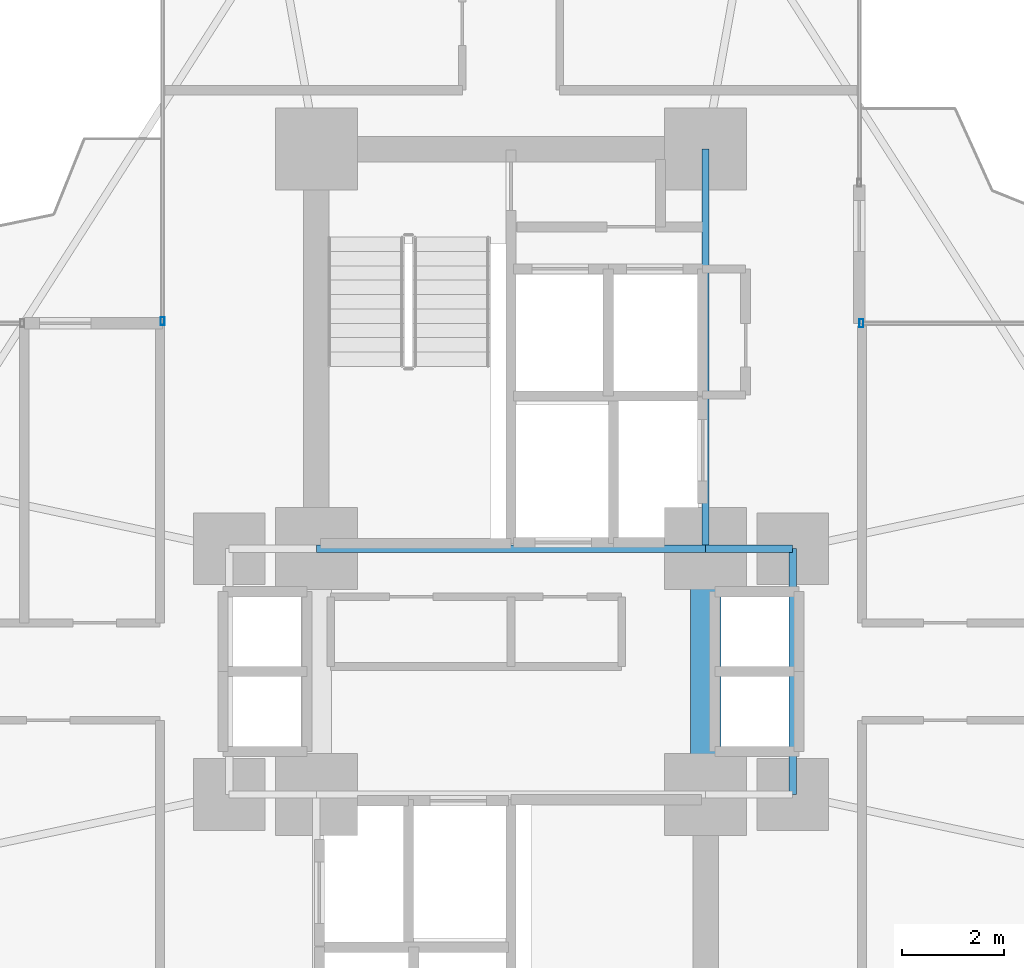
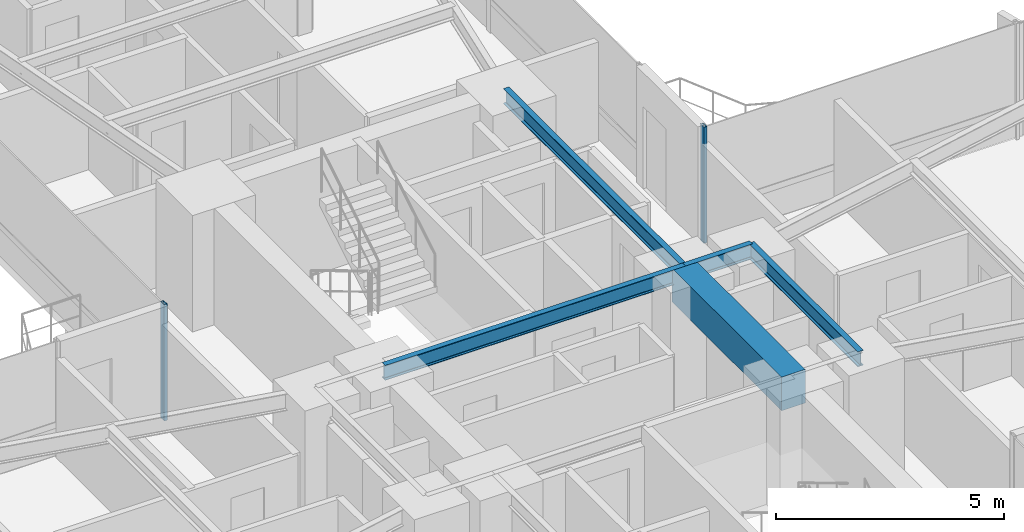
# One storey, part 12 of 25: 5 beams, 2 members, 2 elements without a shape of their own.
"""IFC4 building model written with IfcOpenShell, lengths in metres."""

import ifcopenshell
import ifcopenshell.guid

model = None  # the IFC model being written
_history = None  # IfcOwnerHistory: only IFC2X3 demands one
_inside = {}  # id of a spatial element -> (the spatial element, [elements in it])
_under = {}  # id of a project, library or spatial element -> (it, [spatial elements below it])
_declared = {}  # id of a project -> (the project, [libraries it declares])
_typed = {}  # id of a type object -> (the type object, [elements of that type])
_made_of = {}  # id of a material, layer set ... -> (it, [elements and type objects made of it])


def new_model(schema):
    """Start an empty IFC model of exactly this schema.

    Asked for "IFC4X3", IfcOpenShell would pick the latest addendum, in which some entities
    have other attributes; the version numbers below select the first issue.
    IFC2X3 requires an IfcOwnerHistory on every rooted entity: one is made here for all.
    """
    global model, _history
    if schema == "IFC4X3":
        model = ifcopenshell.file(schema_version=(4, 3, 0, 0))
    else:
        model = ifcopenshell.file(schema=schema)
    _inside.clear()
    _under.clear()
    _declared.clear()
    _typed.clear()
    _made_of.clear()
    _history = None
    if model.schema == "IFC2X3":
        org = make("IfcOrganization", Name="unknown")
        user = make(
            "IfcPersonAndOrganization",
            ThePerson=make("IfcPerson", FamilyName="unknown"),
            TheOrganization=org,
        )
        app = make(
            "IfcApplication",
            ApplicationDeveloper=org,
            Version="unknown",
            ApplicationFullName="unknown",
            ApplicationIdentifier="unknown",
        )
        _history = make(
            "IfcOwnerHistory",
            OwningUser=user,
            OwningApplication=app,
            ChangeAction="ADDED",
            CreationDate=0,
        )
    return model


def make(cls, **values):
    """One entity of the class cls with the attributes given. An attribute that is None is left unset."""
    return model.create_entity(
        cls, **{name: value for name, value in values.items() if value is not None}
    )


def rooted(cls, **values):
    """An entity with a GlobalId (a new one), such as an element, a storey or a relation."""
    return make(cls, GlobalId=ifcopenshell.guid.new(), OwnerHistory=_history, **values)


def si_unit(unit_type, name, prefix=None):
    """IfcSIUnit, for example si_unit("LENGTHUNIT", "METRE", prefix="MILLI")."""
    return make("IfcSIUnit", UnitType=unit_type, Prefix=prefix, Name=name)


def assignment(units):
    """IfcUnitAssignment: the units of a project."""
    return None if units is None else make("IfcUnitAssignment", Units=units)


def point(xyz):
    """IfcCartesianPoint."""
    return None if xyz is None else make("IfcCartesianPoint", Coordinates=xyz)


def direction(xyz):
    """IfcDirection."""
    return None if xyz is None else make("IfcDirection", DirectionRatios=xyz)


def frame(location, z_axis=None, x_axis=None):
    """IfcAxis2Placement3D, a coordinate frame: its origin and axes. An axis left out is left unset."""
    return make(
        "IfcAxis2Placement3D",
        Location=point(location),
        Axis=direction(z_axis),
        RefDirection=direction(x_axis),
    )


def frame_2d(location, x_axis=None):
    """IfcAxis2Placement2D, a coordinate frame in the plane: its origin and x axis."""
    return make(
        "IfcAxis2Placement2D", Location=point(location), RefDirection=direction(x_axis)
    )


def origin():
    """The frame at (0, 0, 0) with its axes left unset."""
    return frame((0.0, 0.0, 0.0))


def origin_2d():
    """The frame at (0, 0) in the plane with its x axis left unset."""
    return frame_2d((0.0, 0.0))


def place(relative_to, where):
    """IfcLocalPlacement: puts the frame where relative to a parent placement (None: the world)."""
    return make(
        "IfcLocalPlacement", PlacementRelTo=relative_to, RelativePlacement=where
    )


def context(
    kind, dimensions, precision=None, world=None, true_north=None, identifier=None
):
    """IfcGeometricRepresentationContext, for example the 3D "Model" context."""
    return make(
        "IfcGeometricRepresentationContext",
        ContextIdentifier=identifier,
        ContextType=kind,
        CoordinateSpaceDimension=dimensions,
        Precision=precision,
        WorldCoordinateSystem=world,
        TrueNorth=true_north,
    )


def subcontext(parent, identifier, kind, view, scale=None):
    """IfcGeometricRepresentationSubContext, for example "Body" below "Model"."""
    return make(
        "IfcGeometricRepresentationSubContext",
        ContextIdentifier=identifier,
        ContextType=kind,
        ParentContext=parent,
        TargetScale=scale,
        TargetView=view,
    )


def project(units=None, contexts=None):
    """IfcProject with its units and contexts."""
    return rooted(
        "IfcProject",
        Name="project",
        RepresentationContexts=contexts,
        UnitsInContext=assignment(units),
    )


def spatial(cls, under=None, at=None, **own):
    """A site, building, storey or space (cls), placed at a placement, below another one or the project."""
    s = rooted(cls, ObjectPlacement=at, **own)
    if under is not None:
        _under.setdefault(under.id(), (under, []))[1].append(s)
    return s


def profile(cls, at=None, kind="AREA", **sizes):
    """A parametric profile (cls). Its sizes go by their IFC names, for example OverallWidth=200.0."""
    return make(cls, ProfileType=kind, Position=at, **sizes)


def rectangle(**sizes):
    """IfcRectangleProfileDef."""
    return profile("IfcRectangleProfileDef", **sizes)


def hollow_rectangle(**sizes):
    """IfcRectangleHollowProfileDef."""
    return profile("IfcRectangleHollowProfileDef", **sizes)


def i_section(**sizes):
    """IfcIShapeProfileDef."""
    return profile("IfcIShapeProfileDef", **sizes)


def extrude(swept, where, along, depth):
    """IfcExtrudedAreaSolid: the profile swept, set in the frame where, extruded along a direction by depth."""
    return make(
        "IfcExtrudedAreaSolid",
        SweptArea=swept,
        Position=where,
        ExtrudedDirection=direction(along),
        Depth=depth,
    )


def shape(context_of_items, identifier, shape_type, items):
    """IfcShapeRepresentation: the items that make up one representation, for example the "Body"."""
    return make(
        "IfcShapeRepresentation",
        ContextOfItems=context_of_items,
        RepresentationIdentifier=identifier,
        RepresentationType=shape_type,
        Items=items,
    )


def source(mapping_origin, context_of_items, identifier, shape_type, items):
    """IfcRepresentationMap: a shape defined once, which mapped items show again and again."""
    return make(
        "IfcRepresentationMap",
        MappingOrigin=mapping_origin,
        MappedRepresentation=shape(context_of_items, identifier, shape_type, items),
    )


def transform(
    local_origin,
    x_axis=None,
    y_axis=None,
    z_axis=None,
    scale=None,
    scale2=None,
    scale3=None,
    uniform=True,
):
    """IfcCartesianTransformationOperator3D, or its non-uniform kind. x_axis, y_axis, z_axis: its Axis1, 2, 3."""
    if uniform:
        return make(
            "IfcCartesianTransformationOperator3D",
            Axis1=direction(x_axis),
            Axis2=direction(y_axis),
            LocalOrigin=point(local_origin),
            Scale=scale,
            Axis3=direction(z_axis),
        )
    return make(
        "IfcCartesianTransformationOperator3DnonUniform",
        Axis1=direction(x_axis),
        Axis2=direction(y_axis),
        LocalOrigin=point(local_origin),
        Scale=scale,
        Axis3=direction(z_axis),
        Scale2=scale2,
        Scale3=scale3,
    )


def mapped(mapping_source, mapping_target):
    """IfcMappedItem: shows the shape of a source again, moved by a transform."""
    return make(
        "IfcMappedItem", MappingSource=mapping_source, MappingTarget=mapping_target
    )


def material(Name=None, Category=None):
    """IfcMaterial."""
    return make("IfcMaterial", Name=Name, Category=Category)


def material_profile(
    of_material, cross_section, Name=None, Category=None, Priority=None
):
    """IfcMaterialProfile: a cross section and its material."""
    return make(
        "IfcMaterialProfile",
        Name=Name,
        Material=of_material,
        Profile=cross_section,
        Priority=Priority,
        Category=Category,
    )


def profile_set(profiles, Name=None, composite=None):
    """IfcMaterialProfileSet."""
    return make(
        "IfcMaterialProfileSet",
        Name=Name,
        MaterialProfiles=profiles,
        CompositeProfile=composite,
    )


def made_of(thing, what):
    """Note that an element or type object is made of a material, layer set ...; save() writes the relation."""
    if what is not None:
        _made_of.setdefault(what.id(), (what, []))[1].append(thing)
    return thing


def type_object(cls, material=None, **own):
    """A type object (cls), such as IfcWallType, which elements share."""
    return made_of(rooted(cls, **own), material)


def element(
    cls,
    number,
    at=None,
    inside=None,
    cuts=None,
    type_object=None,
    material=None,
    context=None,
    identifier="Body",
    shape_type=None,
    held_by="IfcProductDefinitionShape",
    body=None,
    shapes=None,
    **own,
):
    """One element of the class cls, such as IfcWall. Its Tag is "e" and its number.

    at: its placement. inside: the storey or other place that contains it. cuts: it is an
    opening in that element (IfcRelVoidsElement). A single representation is given by context,
    identifier, shape_type and body (its items); several are given by shapes. held_by: the class
    of the entity that holds the representations. save() writes the other relations.
    """
    e = rooted(cls, Tag="e%d" % number, ObjectPlacement=at, **own)
    if body is not None:
        shapes = [shape(context, identifier, shape_type, body)]
    if shapes is not None:
        e.Representation = make(held_by, Representations=shapes)
    if inside is not None:
        _inside.setdefault(inside.id(), (inside, []))[1].append(e)
    if cuts is not None:
        rooted(
            "IfcRelVoidsElement", RelatingBuildingElement=cuts, RelatedOpeningElement=e
        )
    if type_object is not None:
        _typed.setdefault(type_object.id(), (type_object, []))[1].append(e)
    return made_of(e, material)


def aggregate(whole, parts):
    """IfcRelAggregates: a whole, such as a stair, and the parts it consists of."""
    return rooted("IfcRelAggregates", RelatingObject=whole, RelatedObjects=parts)


def save(model, path):
    """Write the relations noted so far, then the file.

    IfcRelAggregates (storeys below a building ...), IfcRelContainedInSpatialStructure (elements
    in a storey), IfcRelDefinesByType, IfcRelAssociatesMaterial and IfcRelDeclares: one each for
    every whole, place, type object, material and project.
    """
    for whole, parts in _under.values():
        aggregate(whole, parts)
    for where, things in _inside.values():
        rooted(
            "IfcRelContainedInSpatialStructure",
            RelatedElements=things,
            RelatingStructure=where,
        )
    for kind, things in _typed.values():
        rooted("IfcRelDefinesByType", RelatedObjects=things, RelatingType=kind)
    for what, things in _made_of.values():
        rooted("IfcRelAssociatesMaterial", RelatedObjects=things, RelatingMaterial=what)
    for by, libraries in _declared.values():
        rooted("IfcRelDeclares", RelatingContext=by, RelatedDefinitions=libraries)
    model.write(path)


model = new_model("IFC4")

# Units and contexts
model_context = context("Model", 3, precision=1e-05, world=origin(), true_north=direction((0.0, 1.0)))
body_context = subcontext(model_context, "Body", "Model", "MODEL_VIEW")
ifc_project = project(units=[si_unit("LENGTHUNIT", "METRE"), si_unit("AREAUNIT", "SQUARE_METRE"), si_unit("VOLUMEUNIT", "CUBIC_METRE"), si_unit("PLANEANGLEUNIT", "RADIAN"), si_unit("MASSUNIT", "GRAM", prefix="KILO")], contexts=[model_context])

# Site, building, storey
site_placement = place(None, origin())
site = spatial("IfcSite", under=ifc_project, at=site_placement, CompositionType="ELEMENT")
building_placement = place(site_placement, origin())
building = spatial("IfcBuilding", under=site, at=building_placement, Name="Sahyath Konkavel Grand Hotel", CompositionType="ELEMENT")
storey_placement = place(building_placement, frame((0.0, 0.0, 54.39990234375)))
storey = spatial("IfcBuildingStorey", under=building, at=storey_placement, Name="L14", CompositionType="ELEMENT", Elevation=54.39990234375)

# Beams
ifc_material_1 = material(Name="Concrete C70/85", Category="concrete")
ifc_material_profile_1 = material_profile(ifc_material_1, rectangle(XDim=0.60009765625, YDim=0.89990234375, at=origin_2d()), Name="RC 600x900")
ifc_profile_set_1 = profile_set([ifc_material_profile_1], Name="Concrete C70/85")
beam_type_1 = type_object("IfcBeamType", Name="BM-CB600x900", PredefinedType="LINTEL", material=ifc_profile_set_1)
shared_shape_1 = source(origin(), body_context, "Body", "SweptSolid", [
    extrude(rectangle(XDim=0.60009765625, YDim=0.89990234375, at=origin_2d()), origin(), (0.0, 0.0, 1.0), 4.7998046875),
])
beam_1_placement = place(storey_placement, frame((3.800048828125, -2.39990234375, 2.66015625), z_axis=(0.0, 1.0, 0.0), x_axis=(-1.0, 0.0, 0.0)))
element("IfcBeam", 1, at=beam_1_placement, inside=storey, type_object=beam_type_1, Name="L14 Split-Core Coupling Beam East", PredefinedType="LINTEL", context=body_context, shape_type="MappedRepresentation", body=[
    mapped(shared_shape_1, transform((0.0, 0.0, 0.0), scale=1.0)),
])
ifc_material_2 = material(Name="Steel E350", Category="steel")
ifc_material_profile_2 = material_profile(ifc_material_2, i_section(OverallWidth=0.139892578125, OverallDepth=0.39990234375, WebThickness=0.0087890625, FlangeThickness=0.01611328125, FilletRadius=0.013916015625, at=origin_2d()), Name="ISMB 400")
ifc_profile_set_2 = profile_set([ifc_material_profile_2], Name="Steel E350")
beam_type_2 = type_object("IfcBeamType", Name="BM-ISMB400", PredefinedType="BEAM", material=ifc_profile_set_2)
shared_shape_2 = source(origin(), body_context, "Body", "SweptSolid", [
    extrude(i_section(OverallWidth=0.139892578125, OverallDepth=0.39990234375, WebThickness=0.0087890625, FlangeThickness=0.01611328125, FilletRadius=0.013916015625, at=origin_2d()), origin(), (0.0, 0.0, 1.0), 7.60009765625),
])
beam_2_placement = place(storey_placement, frame((-3.800048828125, 2.39990234375, 2.91015625), z_axis=(1.0, 0.0, 0.0), x_axis=(0.0, 1.0, 0.0)))
element("IfcBeam", 2, at=beam_2_placement, inside=storey, type_object=beam_type_2, Name="str:bm:L14:NC-S", PredefinedType="BEAM", context=body_context, shape_type="MappedRepresentation", body=[
    mapped(shared_shape_2, transform((0.0, 0.0, 0.0), scale=1.0)),
])
shared_shape_3 = source(origin(), body_context, "Body", "SweptSolid", [
    extrude(i_section(OverallWidth=0.139892578125, OverallDepth=0.39990234375, WebThickness=0.0087890625, FlangeThickness=0.01611328125, FilletRadius=0.013916015625, at=origin_2d()), origin(), (0.0, 0.0, 1.0), 7.800048828125),
])
beam_3_placement = place(storey_placement, frame((3.800048828125, 2.39990234375, 2.91015625), z_axis=(0.0, 1.0, 0.0), x_axis=(-1.0, 0.0, 0.0)))
element("IfcBeam", 3, at=beam_3_placement, inside=storey, type_object=beam_type_2, Name="str:bm:L14:NC-E", PredefinedType="BEAM", context=body_context, shape_type="MappedRepresentation", body=[
    mapped(shared_shape_3, transform((0.0, 0.0, 0.0), scale=1.0)),
])
shared_shape_4 = source(origin(), body_context, "Body", "SweptSolid", [
    extrude(i_section(OverallWidth=0.139892578125, OverallDepth=0.39990234375, WebThickness=0.0087890625, FlangeThickness=0.01611328125, FilletRadius=0.013916015625, at=origin_2d()), origin(), (0.0, 0.0, 1.0), 1.699951171875),
])
beam_4_placement = place(storey_placement, frame((3.800048828125, 2.39990234375, 2.91015625), z_axis=(1.0, 0.0, 0.0), x_axis=(0.0, 1.0, 0.0)))
element("IfcBeam", 4, at=beam_4_placement, inside=storey, type_object=beam_type_2, Name="str:bm:L14:HB-NE", PredefinedType="BEAM", context=body_context, shape_type="MappedRepresentation", body=[
    mapped(shared_shape_4, transform((0.0, 0.0, 0.0), scale=1.0)),
])
shared_shape_5 = source(origin(), body_context, "Body", "SweptSolid", [
    extrude(i_section(OverallWidth=0.139892578125, OverallDepth=0.39990234375, WebThickness=0.0087890625, FlangeThickness=0.01611328125, FilletRadius=0.013916015625, at=origin_2d()), origin(), (0.0, 0.0, 1.0), 4.7998046875),
])
beam_5_placement = place(storey_placement, frame((5.5, -2.39990234375, 2.91015625), z_axis=(0.0, 1.0, 0.0), x_axis=(-1.0, 0.0, 0.0)))
element("IfcBeam", 5, at=beam_5_placement, inside=storey, type_object=beam_type_2, Name="str:bm:L14:HB-E", PredefinedType="BEAM", context=body_context, shape_type="MappedRepresentation", body=[
    mapped(shared_shape_5, transform((0.0, 0.0, 0.0), scale=1.0)),
])

# Curtain wall, member
ifc_material_3 = material(Name="Anodised Bronze Aluminium & Low-E Glazing", Category="aluminium")
curtain_wall_type = type_object("IfcCurtainWallType", Name="CW-ZONE1", PredefinedType="NOTDEFINED", material=ifc_material_3)
curtain_wall_1_placement = place(storey_placement, origin())
curtain_wall_1 = element("IfcCurtainWall", 6, at=curtain_wall_1_placement, inside=storey, type_object=curtain_wall_type, Name="L14 Unitised Curtain Wall F7", PredefinedType="NOTDEFINED")
ifc_material_4 = material(Name="Anodised Bronze Aluminium", Category="aluminium")
ifc_material_profile_3 = material_profile(ifc_material_4, hollow_rectangle(XDim=0.080078125, YDim=0.159912109375, WallThickness=0.006103515625, at=origin_2d()), Name="RHS 160x80x6")
ifc_profile_set_3 = profile_set([ifc_material_profile_3], Name="Anodised Bronze Aluminium")
member_type = type_object("IfcMemberType", Name="CW-MUL-160", PredefinedType="MULLION", material=ifc_profile_set_3)
shared_shape_6 = source(origin(), body_context, "Body", "SweptSolid", [
    extrude(hollow_rectangle(XDim=0.080078125, YDim=0.159912109375, WallThickness=0.006103515625, at=origin_2d()), origin(), (0.0, 0.0, 1.0), 3.110107421875),
])
member_1_placement = place(storey_placement, frame((6.840087890625, 6.800048828125, 0.0), z_axis=(0.0, 0.0, 1.0), x_axis=(1.0, 0.0, 0.0)))
member_1 = element("IfcMember", 7, at=member_1_placement, type_object=member_type, Name="L14 Curtain Wall Mullion F7-2", PredefinedType="MULLION", context=body_context, shape_type="MappedRepresentation", body=[
    mapped(shared_shape_6, transform((0.0, 0.0, 0.0), scale=1.0)),
])
aggregate(curtain_wall_1, [member_1])

curtain_wall_2_placement = place(storey_placement, origin())
curtain_wall_2 = element("IfcCurtainWall", 8, at=curtain_wall_2_placement, inside=storey, type_object=curtain_wall_type, Name="L14 Unitised Curtain Wall F15", PredefinedType="NOTDEFINED")
member_2_placement = place(storey_placement, frame((-6.800048828125, 6.840087890625, 0.0), z_axis=(0.0, 0.0, 1.0), x_axis=(1.0, 0.0, 0.0)))
member_2 = element("IfcMember", 9, at=member_2_placement, type_object=member_type, Name="L14 Curtain Wall Mullion F15-2", PredefinedType="MULLION", context=body_context, shape_type="MappedRepresentation", body=[
    mapped(shared_shape_6, transform((0.0, 0.0, 0.0), scale=1.0)),
])
aggregate(curtain_wall_2, [member_2])

save(model, "model.ifc")
